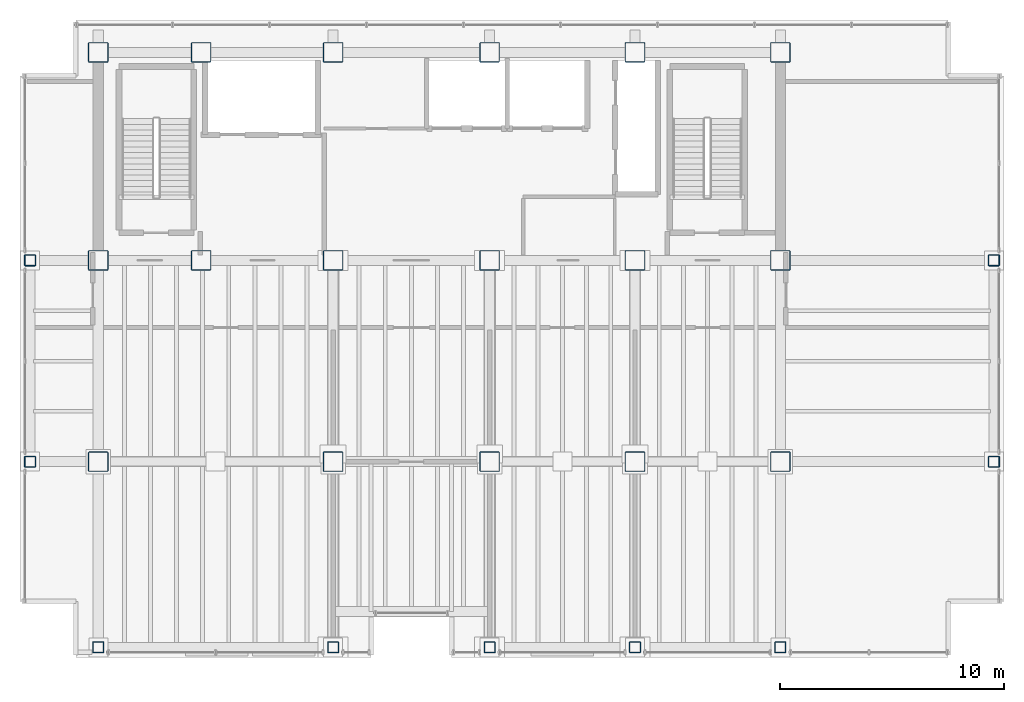
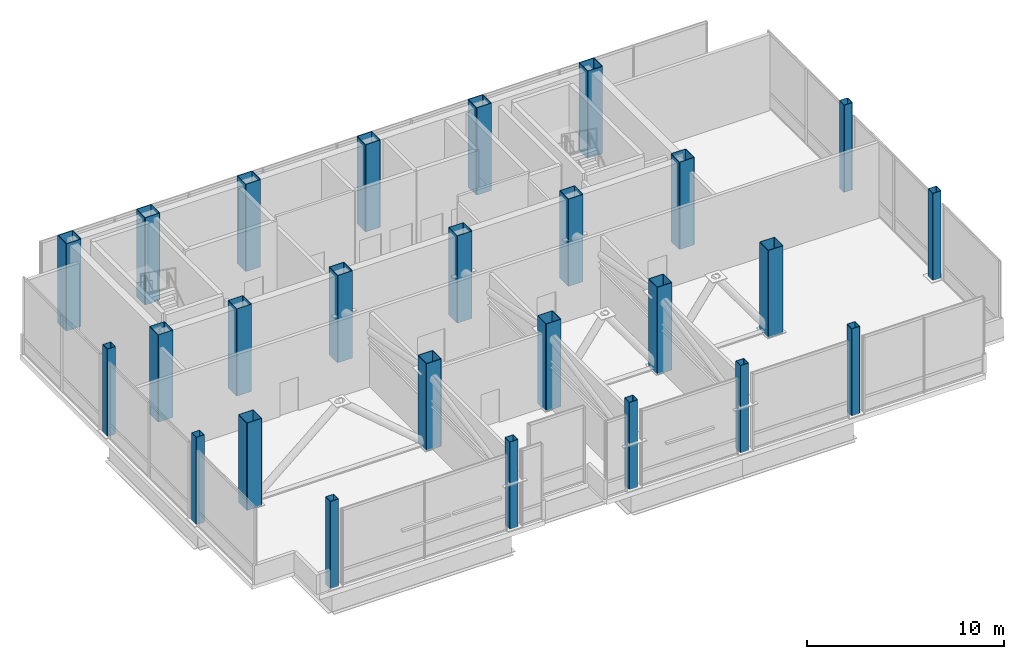
# One storey, part 1 of 18: 26 columns.
"""IFC4 building model written with IfcOpenShell, lengths in metres."""

from ifc_helpers import new_model, si_unit, direction, frame, origin, origin_2d, place, context, subcontext, project, spatial, hollow_rectangle, extrude, material, material_profile, profile_set, type_object, element, save


model = new_model("IFC4")

# Units and contexts
model_context = context("Model", 3, precision=1e-05, world=origin(), true_north=direction((0.0, 1.0)))
body_context = subcontext(model_context, "Body", "Model", "MODEL_VIEW")
ifc_project = project(units=[si_unit("LENGTHUNIT", "METRE"), si_unit("AREAUNIT", "SQUARE_METRE"), si_unit("VOLUMEUNIT", "CUBIC_METRE"), si_unit("PLANEANGLEUNIT", "RADIAN"), si_unit("MASSUNIT", "GRAM", prefix="KILO")], contexts=[model_context])

# Site, building, storey
site_placement = place(None, origin())
site = spatial("IfcSite", under=ifc_project, at=site_placement, CompositionType="ELEMENT")
building_placement = place(site_placement, origin())
building = spatial("IfcBuilding", under=site, at=building_placement, Name="Noeulbin Bourse Tower", CompositionType="ELEMENT")
storey_placement = place(building_placement, frame((0.0, 0.0, 200.699951171875)))
storey = spatial("IfcBuildingStorey", under=building, at=storey_placement, Name="L50", CompositionType="ELEMENT", Elevation=200.699951171875)

# Columns
ifc_material_1 = material(Name="Steel S355", Category="steel")
ifc_material_profile_1 = material_profile(ifc_material_1, hollow_rectangle(XDim=0.5, YDim=0.5, WallThickness=0.02392578125, InnerFilletRadius=0.011962890625, OuterFilletRadius=0.035888671875, at=origin_2d()), Name="BOX-500x500x24", Category="LoadBearing")
ifc_profile_set_1 = profile_set([ifc_material_profile_1], Name="Steel S355")
column_type_1 = type_object("IfcColumnType", Name="COL-PER-Z2", PredefinedType="COLUMN", material=ifc_profile_set_1)
for number, where, z_axis, x_axis, name in (
    (1, (10.449951171875, 20.0, 0.0), (0.0, 0.0, 1.0), (1.0, 0.0, 0.0), "Tower Perimeter Column COL-PER-Z2 01"),
    (2, (10.449951171875, 29.0, 0.0), (0.0, 0.0, 1.0), (1.0, 0.0, 0.0), "Tower Perimeter Column COL-PER-Z2 02"),
    (3, (13.5, 11.699951171875, 0.0), (0.0, 0.0, 1.0), (1.0, 0.0, 0.0), "Tower Perimeter Column COL-PER-Z2 03"),
    (4, (24.0, 11.699951171875, 0.0), (0.0, 0.0, 1.0), (1.0, 0.0, 0.0), "Tower Perimeter Column COL-PER-Z2 04"),
    (5, (31.0, 11.699951171875, 0.0), (0.0, 0.0, 1.0), (1.0, 0.0, 0.0), "Tower Perimeter Column COL-PER-Z2 05"),
    (6, (37.5, 11.699951171875, 0.0), (0.0, 0.0, 1.0), (1.0, 0.0, 0.0), "Tower Perimeter Column COL-PER-Z2 06"),
    (7, (44.0, 11.699951171875, 0.0), (0.0, 0.0, 1.0), (1.0, 0.0, 0.0), "Tower Perimeter Column COL-PER-Z2 07"),
    (8, (53.550048828125, 20.0, 0.0), (0.0, 0.0, 1.0), (1.0, 0.0, 0.0), "Tower Perimeter Column COL-PER-Z2 08"),
    (9, (53.550048828125, 29.0, 0.0), (0.0, 0.0, 1.0), (1.0, 0.0, 0.0), "Tower Perimeter Column COL-PER-Z2 09"),
):
    element("IfcColumn", number, at=place(storey_placement, frame(where, z_axis=z_axis, x_axis=x_axis)), inside=storey, type_object=column_type_1, Name=name, PredefinedType="COLUMN", context=body_context, shape_type="SweptSolid", body=[
        extrude(hollow_rectangle(XDim=0.5, YDim=0.5, WallThickness=0.02392578125, InnerFilletRadius=0.011962890625, OuterFilletRadius=0.035888671875, at=origin_2d()), origin(), (0.0, 0.0, 1.0), 5.400146484375),
    ])
ifc_material_2 = material(Name="Steel S460", Category="steel")
ifc_material_profile_2 = material_profile(ifc_material_2, hollow_rectangle(XDim=0.89990234375, YDim=0.89990234375, WallThickness=0.034912109375, InnerFilletRadius=0.01708984375, OuterFilletRadius=0.052001953125, at=origin_2d()), Name="BOX-900x900x35", Category="LoadBearing")
ifc_profile_set_2 = profile_set([ifc_material_profile_2], Name="Steel S460")
column_type_2 = type_object("IfcColumnType", Name="COL-TRK-Z2", PredefinedType="COLUMN", material=ifc_profile_set_2)
for number, where, z_axis, x_axis, name in (
    (10, (13.5, 29.0, 0.0), (0.0, 0.0, 1.0), (1.0, 0.0, 0.0), "Tower Trunk Mega-Column COL-TRK-Z2 01"),
    (11, (13.5, 38.300048828125, 0.0), (0.0, 0.0, 1.0), (1.0, 0.0, 0.0), "Tower Trunk Mega-Column COL-TRK-Z2 02"),
    (12, (18.10009765625, 29.0, 0.0), (0.0, 0.0, 1.0), (1.0, 0.0, 0.0), "Tower Trunk Mega-Column COL-TRK-Z2 03"),
    (13, (18.10009765625, 38.300048828125, 0.0), (0.0, 0.0, 1.0), (1.0, 0.0, 0.0), "Tower Trunk Mega-Column COL-TRK-Z2 04"),
    (14, (24.0, 29.0, 0.0), (0.0, 0.0, 1.0), (1.0, 0.0, 0.0), "Tower Trunk Mega-Column COL-TRK-Z2 05"),
    (15, (24.0, 38.300048828125, 0.0), (0.0, 0.0, 1.0), (1.0, 0.0, 0.0), "Tower Trunk Mega-Column COL-TRK-Z2 06"),
    (16, (31.0, 29.0, 0.0), (0.0, 0.0, 1.0), (1.0, 0.0, 0.0), "Tower Trunk Mega-Column COL-TRK-Z2 07"),
    (17, (31.0, 38.300048828125, 0.0), (0.0, 0.0, 1.0), (1.0, 0.0, 0.0), "Tower Trunk Mega-Column COL-TRK-Z2 08"),
    (18, (37.5, 29.0, 0.0), (0.0, 0.0, 1.0), (1.0, 0.0, 0.0), "Tower Trunk Mega-Column COL-TRK-Z2 09"),
    (19, (37.5, 38.300048828125, 0.0), (0.0, 0.0, 1.0), (1.0, 0.0, 0.0), "Tower Trunk Mega-Column COL-TRK-Z2 10"),
    (20, (44.0, 29.0, 0.0), (0.0, 0.0, 1.0), (1.0, 0.0, 0.0), "Tower Trunk Mega-Column COL-TRK-Z2 11"),
    (21, (44.0, 38.300048828125, 0.0), (0.0, 0.0, 1.0), (1.0, 0.0, 0.0), "Tower Trunk Mega-Column COL-TRK-Z2 12"),
    (22, (13.5, 20.0, 0.0), (0.0, 0.0, 1.0), (1.0, 0.0, 0.0), "Tower Trunk Mega-Column COL-TRK-Z2 13"),
    (23, (24.0, 20.0, 0.0), (0.0, 0.0, 1.0), (1.0, 0.0, 0.0), "Tower Trunk Mega-Column COL-TRK-Z2 14"),
    (24, (31.0, 20.0, 0.0), (0.0, 0.0, 1.0), (1.0, 0.0, 0.0), "Tower Trunk Mega-Column COL-TRK-Z2 15"),
    (25, (37.5, 20.0, 0.0), (0.0, 0.0, 1.0), (1.0, 0.0, 0.0), "Tower Trunk Mega-Column COL-TRK-Z2 16"),
    (26, (44.0, 20.0, 0.0), (0.0, 0.0, 1.0), (1.0, 0.0, 0.0), "Tower Trunk Mega-Column COL-TRK-Z2 17"),
):
    element("IfcColumn", number, at=place(storey_placement, frame(where, z_axis=z_axis, x_axis=x_axis)), inside=storey, type_object=column_type_2, Name=name, PredefinedType="COLUMN", context=body_context, shape_type="SweptSolid", body=[
        extrude(hollow_rectangle(XDim=0.89990234375, YDim=0.89990234375, WallThickness=0.034912109375, InnerFilletRadius=0.01708984375, OuterFilletRadius=0.052001953125, at=origin_2d()), origin(), (0.0, 0.0, 1.0), 5.400146484375),
    ])

save(model, "model.ifc")
